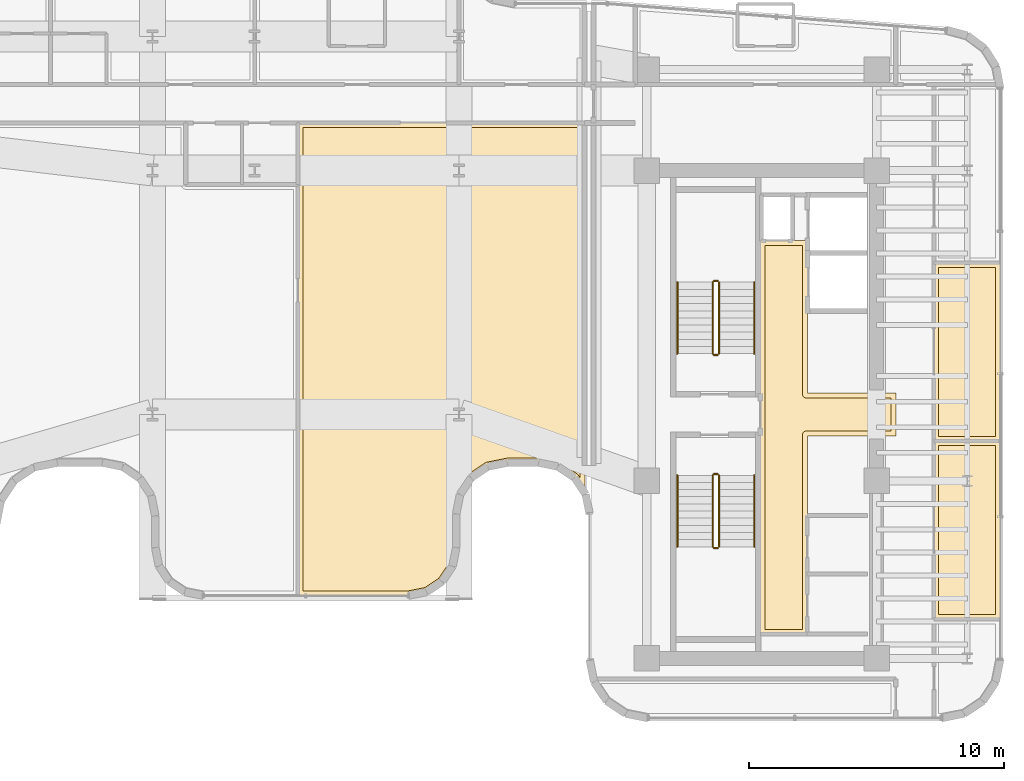
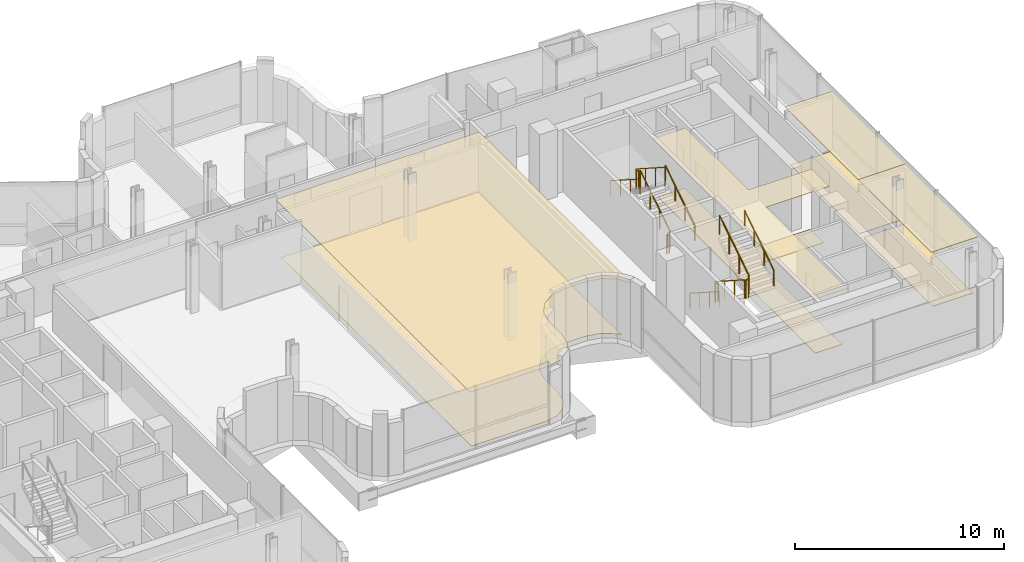
# One storey, part 34 of 36: 12 railings, 8 coverings.
"""IFC4 building model written with IfcOpenShell, lengths in metres."""

from ifc_helpers import new_model, si_unit, direction, frame, origin, origin_2d, place, context, subcontext, project, spatial, polyline, circle, outline, extrude, material, layer, layer_set, type_object, element, save


model = new_model("IFC4")

# Units and contexts
model_context = context("Model", 3, precision=1e-05, world=origin(), true_north=direction((0.0, 1.0)))
body_context = subcontext(model_context, "Body", "Model", "MODEL_VIEW")
ifc_project = project(units=[si_unit("LENGTHUNIT", "METRE"), si_unit("AREAUNIT", "SQUARE_METRE"), si_unit("VOLUMEUNIT", "CUBIC_METRE"), si_unit("PLANEANGLEUNIT", "RADIAN"), si_unit("MASSUNIT", "GRAM", prefix="KILO")], contexts=[model_context])

# Site, building, storey
site_placement = place(None, origin())
site = spatial("IfcSite", under=ifc_project, at=site_placement, CompositionType="ELEMENT")
building_placement = place(site_placement, origin())
building = spatial("IfcBuilding", under=site, at=building_placement, Name="Valdorenza Pilgrim Sanctuary Tower", CompositionType="ELEMENT")
storey_placement = place(building_placement, frame((0.0, 0.0, 176.550048828125)))
storey = spatial("IfcBuildingStorey", under=building, at=storey_placement, Name="L45", CompositionType="ELEMENT", Elevation=176.550048828125)

# Coverings
ifc_material_1 = material(Name="Micro-perforated acoustic mineral ceiling tile", Category="gypsum")
ifc_layer_1 = layer(ifc_material_1, 0.02490234375, Name="Micro-perforated acoustic mineral ceiling tile")
ifc_layer_set_1 = layer_set([ifc_layer_1], Name="Micro-perforated acoustic mineral ceiling tile")
covering_type_1 = type_object("IfcCoveringType", Name="COV-CLG-ACU", PredefinedType="CEILING", material=ifc_layer_set_1)
covering_1_placement = place(storey_placement, frame((0.0, 0.0, 3.329833984375)))
element("IfcCovering", 1, at=covering_1_placement, inside=storey, type_object=covering_type_1, Name="L45 Core B Passenger Lift Lobby Acoustic Ceiling", PredefinedType="CEILING", context=body_context, shape_type="SweptSolid", body=[
    extrude(outline(polyline([(20.287109375, -0.814697265625), (20.287109375, 0.814697265625), (20.28662109375, 0.815185546875), (20.2861328125, 0.81640625), (20.28564453125, 0.81787109375), (20.285400390625, 0.819091796875), (20.28515625, 0.820556640625), (20.284912109375, 0.822021484375), (20.284912109375, 6.800048828125), (20.28515625, 6.801513671875), (20.285400390625, 6.802978515625), (20.28564453125, 6.804443359375), (20.2861328125, 6.8056640625), (20.286865234375, 6.80712890625), (20.28759765625, 6.808349609375), (20.288330078125, 6.8095703125), (20.289306640625, 6.810546875), (20.29052734375, 6.8115234375), (20.291748046875, 6.8125), (20.29296875, 6.813232421875), (20.294189453125, 6.81396484375), (20.295654296875, 6.814453125), (20.297119140625, 6.814697265625), (20.298583984375, 6.81494140625), (20.300048828125, 6.81494140625), (20.347900390625, 6.81494140625), (20.349365234375, 6.81494140625), (20.350830078125, 6.814697265625), (20.352294921875, 6.814453125), (20.353515625, 6.81396484375), (20.35498046875, 6.813232421875), (20.35546875, 6.81298828125), (21.544677734375, 6.81298828125), (21.545166015625, 6.813232421875), (21.54638671875, 6.81396484375), (21.5478515625, 6.814453125), (21.54931640625, 6.814697265625), (21.550537109375, 6.81494140625), (21.552001953125, 6.81494140625), (22.1201171875, 6.81494140625), (22.12158203125, 6.81494140625), (22.122802734375, 6.814697265625), (22.12451171875, 6.814453125), (22.125732421875, 6.81396484375), (22.127197265625, 6.813232421875), (22.12841796875, 6.8125), (22.12939453125, 6.8115234375), (22.130615234375, 6.810546875), (22.131591796875, 6.8095703125), (22.132568359375, 6.808349609375), (22.13330078125, 6.80712890625), (22.1337890625, 6.8056640625), (22.134521484375, 6.804443359375), (22.134765625, 6.802978515625), (22.135009765625, 6.801513671875), (22.135009765625, 6.800048828125), (22.135009765625, 0.8349609375), (25.60009765625, 0.8349609375), (25.6015625, 0.8349609375), (25.602783203125, 0.834716796875), (25.6044921875, 0.83447265625), (25.605712890625, 0.833984375), (25.607177734375, 0.833251953125), (25.6083984375, 0.83251953125), (25.609619140625, 0.83154296875), (25.610595703125, 0.83056640625), (25.611572265625, 0.82958984375), (25.612548828125, 0.828369140625), (25.61328125, 0.8271484375), (25.614013671875, 0.82568359375), (25.614501953125, 0.824462890625), (25.61474609375, 0.822998046875), (25.614990234375, 0.821533203125), (25.614990234375, 0.820068359375), (25.614990234375, -0.820068359375), (25.614990234375, -0.821533203125), (25.61474609375, -0.822998046875), (25.614501953125, -0.824462890625), (25.614013671875, -0.82568359375), (25.61328125, -0.8271484375), (25.612548828125, -0.828369140625), (25.611572265625, -0.82958984375), (25.610595703125, -0.83056640625), (25.609619140625, -0.83154296875), (25.6083984375, -0.83251953125), (25.607177734375, -0.833251953125), (25.605712890625, -0.833984375), (25.6044921875, -0.83447265625), (25.602783203125, -0.834716796875), (25.6015625, -0.8349609375), (25.60009765625, -0.8349609375), (22.135009765625, -0.8349609375), (22.135009765625, -8.60009765625), (22.135009765625, -8.6015625), (22.134765625, -8.602783203125), (22.134521484375, -8.6044921875), (22.1337890625, -8.605712890625), (22.13330078125, -8.607177734375), (22.132568359375, -8.6083984375), (22.131591796875, -8.609619140625), (22.130615234375, -8.610595703125), (22.12939453125, -8.611572265625), (22.12841796875, -8.612548828125), (22.127197265625, -8.61328125), (22.125732421875, -8.614013671875), (22.12451171875, -8.614501953125), (22.122802734375, -8.61474609375), (22.12158203125, -8.614990234375), (22.1201171875, -8.614990234375), (20.300048828125, -8.614990234375), (20.298583984375, -8.614990234375), (20.297119140625, -8.61474609375), (20.295654296875, -8.614501953125), (20.294189453125, -8.614013671875), (20.29296875, -8.61328125), (20.291748046875, -8.612548828125), (20.29052734375, -8.611572265625), (20.289306640625, -8.610595703125), (20.288330078125, -8.609619140625), (20.28759765625, -8.6083984375), (20.286865234375, -8.607177734375), (20.2861328125, -8.605712890625), (20.28564453125, -8.6044921875), (20.285400390625, -8.602783203125), (20.28515625, -8.6015625), (20.284912109375, -8.60009765625), (20.284912109375, -0.822021484375), (20.28515625, -0.820556640625), (20.285400390625, -0.819091796875), (20.28564453125, -0.81787109375), (20.2861328125, -0.81640625), (20.28662109375, -0.815185546875), (20.287109375, -0.814697265625)])), origin(), (0.0, 0.0, 1.0), 0.025146484375),
])
covering_2_placement = place(storey_placement, frame((0.0, 0.0, 3.329833984375)))
element("IfcCovering", 2, at=covering_2_placement, inside=storey, type_object=covering_type_1, Name="L45 Sacred Archive Reading Library Acoustic Ceiling", PredefinedType="CEILING", context=body_context, shape_type="SweptSolid", body=[
    extrude(outline(polyline([(2.18701171875, 8.996337890625), (2.18701171875, 8.996826171875), (2.186767578125, 8.99853515625), (2.186767578125, 9.0), (2.18701171875, 9.00146484375), (2.18701171875, 9.001708984375), (2.18701171875, 11.419921875), (2.18701171875, 11.42138671875), (2.187255859375, 11.4228515625), (2.1875, 11.42431640625), (2.18798828125, 11.42578125), (2.188720703125, 11.427001953125), (2.189453125, 11.42822265625), (2.1904296875, 11.429443359375), (2.19140625, 11.4306640625), (2.1923828125, 11.431640625), (2.193603515625, 11.4326171875), (2.19482421875, 11.43310546875), (2.1962890625, 11.433837890625), (2.197509765625, 11.434326171875), (2.19921875, 11.434814453125), (2.200439453125, 11.434814453125), (2.201904296875, 11.43505859375), (13.419921875, 11.43505859375), (13.42138671875, 11.434814453125), (13.4228515625, 11.434814453125), (13.42431640625, 11.434326171875), (13.42578125, 11.433837890625), (13.427001953125, 11.43310546875), (13.42822265625, 11.4326171875), (13.429443359375, 11.431640625), (13.4306640625, 11.4306640625), (13.431640625, 11.429443359375), (13.4326171875, 11.42822265625), (13.43310546875, 11.427001953125), (13.433837890625, 11.42578125), (13.434326171875, 11.42431640625), (13.434814453125, 11.4228515625), (13.434814453125, 11.42138671875), (13.43505859375, 11.419921875), (13.43505859375, -3.071533203125), (13.434814453125, -3.072998046875), (13.434814453125, -3.074462890625), (13.434326171875, -3.075927734375), (13.433837890625, -3.077392578125), (13.43310546875, -3.07861328125), (13.4326171875, -3.079833984375), (13.431640625, -3.0810546875), (13.4306640625, -3.082275390625), (13.429443359375, -3.083251953125), (13.42822265625, -3.083984375), (13.427001953125, -3.084716796875), (13.42578125, -3.08544921875), (13.42431640625, -3.0859375), (13.4228515625, -3.086181640625), (13.42138671875, -3.08642578125), (13.419921875, -3.086669921875), (13.41845703125, -3.08642578125), (13.4169921875, -3.086181640625), (13.41552734375, -3.0859375), (13.414306640625, -3.08544921875), (13.412841796875, -3.084716796875), (13.41162109375, -3.083984375), (13.410400390625, -3.083251953125), (13.409423828125, -3.082275390625), (13.408447265625, -3.0810546875), (13.407470703125, -3.079833984375), (13.022705078125, -2.50390625), (13.016845703125, -2.49609375), (13.0107421875, -2.4892578125), (13.00390625, -2.483154296875), (12.99609375, -2.477294921875), (12.380126953125, -2.06591796875), (12.371826171875, -2.060791015625), (12.36328125, -2.056884765625), (12.354736328125, -2.0537109375), (12.34521484375, -2.051513671875), (11.618896484375, -1.906982421875), (11.609375, -1.905517578125), (11.599609375, -1.905029296875), (10.400390625, -1.905029296875), (10.390625, -1.905517578125), (10.381103515625, -1.906982421875), (9.65478515625, -2.051513671875), (9.645263671875, -2.0537109375), (9.63671875, -2.056884765625), (9.628173828125, -2.060791015625), (9.619873046875, -2.06591796875), (9.00390625, -2.477294921875), (8.99609375, -2.483154296875), (8.9892578125, -2.4892578125), (8.983154296875, -2.49609375), (8.977294921875, -2.50390625), (8.56591796875, -3.119873046875), (8.560791015625, -3.128173828125), (8.556884765625, -3.13671875), (8.5537109375, -3.145263671875), (8.551513671875, -3.15478515625), (8.406982421875, -3.881103515625), (8.405517578125, -3.890625), (8.405029296875, -3.900390625), (8.405029296875, -5.213134765625), (8.40478515625, -5.214599609375), (8.40478515625, -5.216064453125), (8.2607421875, -5.940185546875), (8.26025390625, -5.941650390625), (8.259765625, -5.943115234375), (8.25927734375, -5.9443359375), (8.258544921875, -5.945556640625), (7.8544921875, -6.55029296875), (7.853515625, -6.551513671875), (7.8525390625, -6.552490234375), (7.851318359375, -6.553466796875), (7.85009765625, -6.554443359375), (7.24560546875, -6.95849609375), (7.244384765625, -6.959228515625), (7.242919921875, -6.959716796875), (7.24169921875, -6.960205078125), (7.240234375, -6.960693359375), (6.51611328125, -7.104736328125), (6.5146484375, -7.10498046875), (6.51318359375, -7.10498046875), (2.201904296875, -7.10498046875), (2.200439453125, -7.10498046875), (2.19921875, -7.104736328125), (2.197509765625, -7.1044921875), (2.1962890625, -7.10400390625), (2.19482421875, -7.103271484375), (2.193603515625, -7.1025390625), (2.1923828125, -7.1015625), (2.19140625, -7.1005859375), (2.1904296875, -7.099609375), (2.189453125, -7.098388671875), (2.188720703125, -7.09716796875), (2.18798828125, -7.095703125), (2.1875, -7.094482421875), (2.187255859375, -7.093017578125), (2.18701171875, -7.091552734375), (2.18701171875, -7.090087890625), (2.18701171875, 8.996337890625)])), origin(), (0.0, 0.0, 1.0), 0.025146484375),
])
covering_3_placement = place(storey_placement, frame((0.0, 0.0, 3.329833984375)))
element("IfcCovering", 3, at=covering_3_placement, inside=storey, type_object=covering_type_1, Name="L45 East Reading Lounge L45-EB2 Acoustic Ceiling", PredefinedType="CEILING", context=body_context, shape_type="SweptSolid", body=[
    extrude(outline(polyline([(27.0849609375, -1.0400390625), (27.085205078125, -1.03857421875), (27.085205078125, -1.037109375), (27.085693359375, -1.03564453125), (27.086181640625, -1.0341796875), (27.0869140625, -1.032958984375), (27.08740234375, -1.03173828125), (27.08837890625, -1.030517578125), (27.08935546875, -1.029296875), (27.090576171875, -1.0283203125), (27.091796875, -1.027587890625), (27.093017578125, -1.02685546875), (27.09423828125, -1.026123046875), (27.095703125, -1.025634765625), (27.09716796875, -1.025390625), (27.098388671875, -1.025146484375), (27.10009765625, -1.02490234375), (29.68994140625, -1.02490234375), (29.69140625, -1.025146484375), (29.69287109375, -1.025390625), (29.6943359375, -1.025634765625), (29.69580078125, -1.026123046875), (29.697021484375, -1.02685546875), (29.6982421875, -1.027587890625), (29.699462890625, -1.0283203125), (29.70068359375, -1.029296875), (29.70166015625, -1.030517578125), (29.702392578125, -1.03173828125), (29.703125, -1.032958984375), (29.703857421875, -1.0341796875), (29.704345703125, -1.03564453125), (29.70458984375, -1.037109375), (29.704833984375, -1.03857421875), (29.705078125, -1.0400390625), (29.705078125, -8.01806640625), (29.704833984375, -8.01953125), (29.70458984375, -8.02099609375), (29.704345703125, -8.0224609375), (29.703857421875, -8.023681640625), (29.703125, -8.025146484375), (29.702392578125, -8.0263671875), (29.70166015625, -8.027587890625), (29.70068359375, -8.028564453125), (29.699462890625, -8.029541015625), (29.6982421875, -8.030517578125), (29.697021484375, -8.03125), (29.69580078125, -8.031982421875), (29.6943359375, -8.032470703125), (29.69287109375, -8.03271484375), (29.69140625, -8.032958984375), (29.68994140625, -8.032958984375), (27.10009765625, -8.032958984375), (27.098388671875, -8.032958984375), (27.09716796875, -8.03271484375), (27.095703125, -8.032470703125), (27.09423828125, -8.031982421875), (27.093017578125, -8.03125), (27.091796875, -8.030517578125), (27.090576171875, -8.029541015625), (27.08935546875, -8.028564453125), (27.08837890625, -8.027587890625), (27.08740234375, -8.0263671875), (27.0869140625, -8.025146484375), (27.086181640625, -8.023681640625), (27.085693359375, -8.0224609375), (27.085205078125, -8.02099609375), (27.085205078125, -8.01953125), (27.0849609375, -8.01806640625), (27.0849609375, -1.0400390625)])), origin(), (0.0, 0.0, 1.0), 0.025146484375),
])
covering_4_placement = place(storey_placement, frame((0.0, 0.0, 3.329833984375)))
element("IfcCovering", 4, at=covering_4_placement, inside=storey, type_object=covering_type_1, Name="L45 East Reading Lounge L45-EB3 Acoustic Ceiling", PredefinedType="CEILING", context=body_context, shape_type="SweptSolid", body=[
    extrude(outline(polyline([(27.0849609375, 5.93994140625), (27.085205078125, 5.94140625), (27.085205078125, 5.94287109375), (27.085693359375, 5.9443359375), (27.086181640625, 5.94580078125), (27.0869140625, 5.947021484375), (27.08740234375, 5.9482421875), (27.08837890625, 5.949462890625), (27.08935546875, 5.95068359375), (27.090576171875, 5.95166015625), (27.091796875, 5.952392578125), (27.093017578125, 5.953125), (27.09423828125, 5.953857421875), (27.095703125, 5.954345703125), (27.09716796875, 5.95458984375), (27.098388671875, 5.954833984375), (27.10009765625, 5.955078125), (29.68994140625, 5.955078125), (29.69140625, 5.954833984375), (29.69287109375, 5.95458984375), (29.6943359375, 5.954345703125), (29.69580078125, 5.953857421875), (29.697021484375, 5.953125), (29.6982421875, 5.952392578125), (29.699462890625, 5.95166015625), (29.70068359375, 5.95068359375), (29.70166015625, 5.949462890625), (29.702392578125, 5.9482421875), (29.703125, 5.947021484375), (29.703857421875, 5.94580078125), (29.704345703125, 5.9443359375), (29.70458984375, 5.94287109375), (29.704833984375, 5.94140625), (29.705078125, 5.93994140625), (29.705078125, -1.0380859375), (29.704833984375, -1.03955078125), (29.70458984375, -1.041015625), (29.704345703125, -1.04248046875), (29.703857421875, -1.043701171875), (29.703125, -1.045166015625), (29.702392578125, -1.04638671875), (29.70166015625, -1.047607421875), (29.70068359375, -1.048583984375), (29.699462890625, -1.049560546875), (29.6982421875, -1.050537109375), (29.697021484375, -1.05126953125), (29.69580078125, -1.052001953125), (29.6943359375, -1.052490234375), (29.69287109375, -1.052734375), (29.69140625, -1.052978515625), (29.68994140625, -1.052978515625), (27.10009765625, -1.052978515625), (27.098388671875, -1.052978515625), (27.09716796875, -1.052734375), (27.095703125, -1.052490234375), (27.09423828125, -1.052001953125), (27.093017578125, -1.05126953125), (27.091796875, -1.050537109375), (27.090576171875, -1.049560546875), (27.08935546875, -1.048583984375), (27.08837890625, -1.047607421875), (27.08740234375, -1.04638671875), (27.0869140625, -1.045166015625), (27.086181640625, -1.043701171875), (27.085693359375, -1.04248046875), (27.085205078125, -1.041015625), (27.085205078125, -1.03955078125), (27.0849609375, -1.0380859375), (27.0849609375, 5.93994140625)])), origin(), (0.0, 0.0, 1.0), 0.025146484375),
])
ifc_material_2 = material(Name="Honed travertine stone flooring", Category="masonry")
ifc_layer_2 = layer(ifc_material_2, 0.030029296875, Name="Honed travertine stone flooring")
ifc_layer_set_2 = layer_set([ifc_layer_2], Name="Honed travertine stone flooring")
covering_type_2 = type_object("IfcCoveringType", Name="COV-FLR-TRV", PredefinedType="FLOORING", material=ifc_layer_set_2)
covering_5_placement = place(storey_placement, origin())
element("IfcCovering", 5, at=covering_5_placement, inside=storey, type_object=covering_type_2, Name="L45 Core B Passenger Lift Lobby Flooring", PredefinedType="FLOORING", context=body_context, shape_type="SweptSolid", body=[
    extrude(outline(polyline([(20.47998046875, 6.617919921875), (21.550048828125, 6.617919921875), (21.550537109375, 6.617919921875), (21.93994140625, 6.619384765625), (21.93994140625, 0.820068359375), (21.94091796875, 0.802490234375), (21.943603515625, 0.784912109375), (21.94775390625, 0.767578125), (21.95361328125, 0.751220703125), (21.961181640625, 0.735107421875), (21.97021484375, 0.719970703125), (21.98095703125, 0.705810546875), (21.99267578125, 0.692626953125), (22.005859375, 0.680908203125), (22.02001953125, 0.67041015625), (22.03515625, 0.661376953125), (22.051025390625, 0.65380859375), (22.067626953125, 0.647705078125), (22.0849609375, 0.6435546875), (22.102294921875, 0.640869140625), (22.1201171875, 0.639892578125), (25.419921875, 0.639892578125), (25.419921875, -0.639892578125), (22.1201171875, -0.639892578125), (22.102294921875, -0.640869140625), (22.0849609375, -0.6435546875), (22.067626953125, -0.647705078125), (22.051025390625, -0.65380859375), (22.03515625, -0.661376953125), (22.02001953125, -0.67041015625), (22.005859375, -0.680908203125), (21.99267578125, -0.692626953125), (21.98095703125, -0.705810546875), (21.97021484375, -0.719970703125), (21.961181640625, -0.735107421875), (21.95361328125, -0.751220703125), (21.94775390625, -0.767578125), (21.943603515625, -0.784912109375), (21.94091796875, -0.802490234375), (21.93994140625, -0.820068359375), (21.93994140625, -8.419921875), (20.47998046875, -8.419921875), (20.47998046875, -0.846923828125), (20.47998046875, -0.8466796875), (20.47998046875, -0.8466796875), (20.481689453125, -0.8291015625), (20.481689453125, -0.828857421875), (20.48193359375, -0.820068359375), (20.48193359375, 0.820068359375), (20.47998046875, 6.617919921875)])), origin(), (0.0, 0.0, 1.0), 0.02490234375),
])
covering_6_placement = place(storey_placement, origin())
element("IfcCovering", 6, at=covering_6_placement, inside=storey, type_object=covering_type_2, Name="L45 Sacred Archive Reading Library Flooring", PredefinedType="FLOORING", context=body_context, shape_type="SweptSolid", body=[
    extrude(outline(polyline([(2.382080078125, 8.999755859375), (2.382080078125, 9.0), (2.382080078125, 11.239990234375), (13.239990234375, 11.239990234375), (13.239990234375, -2.478271484375), (13.1845703125, -2.3955078125), (13.179443359375, -2.38818359375), (13.173095703125, -2.37939453125), (13.161865234375, -2.36572265625), (13.15478515625, -2.35791015625), (13.14208984375, -2.34521484375), (13.13427734375, -2.338134765625), (13.12060546875, -2.326904296875), (13.11181640625, -2.320556640625), (13.1044921875, -2.3154296875), (12.48828125, -1.903564453125), (12.480712890625, -1.898681640625), (12.471435546875, -1.893310546875), (12.455810546875, -1.885009765625), (12.4462890625, -1.88037109375), (12.4296875, -1.87353515625), (12.419677734375, -1.869873046875), (12.40283203125, -1.86474609375), (12.392333984375, -1.862060546875), (12.3837890625, -1.860107421875), (11.656494140625, -1.715576171875), (11.64794921875, -1.714111328125), (11.63720703125, -1.71240234375), (11.61962890625, -1.710693359375), (11.60888671875, -1.710205078125), (11.60009765625, -1.7099609375), (10.39990234375, -1.7099609375), (10.39111328125, -1.710205078125), (10.38037109375, -1.710693359375), (10.36279296875, -1.71240234375), (10.35205078125, -1.714111328125), (10.343505859375, -1.715576171875), (9.6162109375, -1.860107421875), (9.607666015625, -1.862060546875), (9.59716796875, -1.86474609375), (9.580322265625, -1.869873046875), (9.5703125, -1.87353515625), (9.5537109375, -1.88037109375), (9.544189453125, -1.885009765625), (9.528564453125, -1.893310546875), (9.519287109375, -1.898681640625), (9.51171875, -1.903564453125), (8.8955078125, -2.3154296875), (8.88818359375, -2.320556640625), (8.87939453125, -2.326904296875), (8.86572265625, -2.338134765625), (8.85791015625, -2.34521484375), (8.84521484375, -2.35791015625), (8.838134765625, -2.36572265625), (8.826904296875, -2.37939453125), (8.820556640625, -2.38818359375), (8.8154296875, -2.3955078125), (8.403564453125, -3.01171875), (8.398681640625, -3.019287109375), (8.393310546875, -3.028564453125), (8.385009765625, -3.044189453125), (8.38037109375, -3.0537109375), (8.37353515625, -3.0703125), (8.369873046875, -3.080322265625), (8.36474609375, -3.09716796875), (8.362060546875, -3.107666015625), (8.360107421875, -3.1162109375), (8.215576171875, -3.843505859375), (8.214111328125, -3.85205078125), (8.21240234375, -3.86279296875), (8.210693359375, -3.88037109375), (8.210205078125, -3.89111328125), (8.2099609375, -3.89990234375), (8.2099609375, -5.1953125), (8.076416015625, -5.866943359375), (7.712158203125, -6.412109375), (7.1669921875, -6.7763671875), (6.495361328125, -6.909912109375), (2.382080078125, -6.909912109375), (2.382080078125, 8.998046875), (2.382080078125, 8.9990234375), (2.382080078125, 8.999755859375)])), origin(), (0.0, 0.0, 1.0), 0.02490234375),
])
covering_7_placement = place(storey_placement, origin())
element("IfcCovering", 7, at=covering_7_placement, inside=storey, type_object=covering_type_2, Name="L45 East Reading Lounge L45-EB2 Flooring", PredefinedType="FLOORING", context=body_context, shape_type="SweptSolid", body=[
    extrude(outline(polyline([(27.280029296875, -1.219970703125), (29.510009765625, -1.219970703125), (29.510009765625, -7.837890625), (27.280029296875, -7.837890625), (27.280029296875, -1.219970703125)])), origin(), (0.0, 0.0, 1.0), 0.02490234375),
])
covering_8_placement = place(storey_placement, origin())
element("IfcCovering", 8, at=covering_8_placement, inside=storey, type_object=covering_type_2, Name="L45 East Reading Lounge L45-EB3 Flooring", PredefinedType="FLOORING", context=body_context, shape_type="SweptSolid", body=[
    extrude(outline(polyline([(27.280029296875, 5.760009765625), (29.510009765625, 5.760009765625), (29.510009765625, -0.85791015625), (27.280029296875, -0.85791015625), (27.280029296875, 5.760009765625)])), origin(), (0.0, 0.0, 1.0), 0.02490234375),
])

# Railings
ifc_material_3 = material(Name="Stainless steel Grade 316", Category="steel")
railing_type_1 = type_object("IfcRailingType", Name="RLG-GRD-1120", PredefinedType="GUARDRAIL", material=ifc_material_3)
railing_1_placement = place(storey_placement, frame((18.679931640625, 2.3798828125, 0.179443359375)))
element("IfcRailing", 9, at=railing_1_placement, inside=storey, type_object=railing_type_1, Name="L45 ST-B1 stair guard 1", PredefinedType="GUARDRAIL", context=body_context, shape_type="SweptSolid", body=[
    extrude(circle(Radius=0.02392578125, at=origin_2d()), frame((0.0, 0.0, 1.076171875), z_axis=(0.0, 0.841809871826, 0.539774156196), x_axis=(-1.0, 0.0, 0.0)), (0.0, 0.0, 1.0), 3.326171875),
    extrude(circle(Radius=0.02099609375, at=origin_2d()), origin(), (0.0, 0.0, 1.0), 1.052001953125),
    extrude(circle(Radius=0.02099609375, at=origin_2d()), frame((0.0, 0.933349609375, 0.598388671875)), (0.0, 0.0, 1.0), 1.052001953125),
    extrude(circle(Radius=0.02099609375, at=origin_2d()), frame((0.0, 1.86669921875, 1.197021484375)), (0.0, 0.0, 1.0), 1.052001953125),
    extrude(circle(Radius=0.02099609375, at=origin_2d()), frame((0.0, 2.800048828125, 1.79541015625)), (0.0, 0.0, 1.0), 1.052001953125),
])
railing_2_placement = place(storey_placement, frame((18.6298828125, 5.22998046875, 1.974853515625)))
element("IfcRailing", 10, at=railing_2_placement, inside=storey, type_object=railing_type_1, Name="L45 ST-B1 stair guard 2", PredefinedType="GUARDRAIL", context=body_context, shape_type="SweptSolid", body=[
    extrude(circle(Radius=0.02392578125, at=origin_2d()), frame((0.0, 0.0, 1.076171875), z_axis=(-1.0, 0.0, 0.0), x_axis=(0.0, -1.0, 0.0)), (0.0, 0.0, 1.0), 0.14990234375),
    extrude(circle(Radius=0.02099609375, at=origin_2d()), origin(), (0.0, 0.0, 1.0), 1.052001953125),
    extrude(circle(Radius=0.02099609375, at=origin_2d()), frame((-0.14990234375, 0.0, 0.0)), (0.0, 0.0, 1.0), 1.052001953125),
])
railing_3_placement = place(storey_placement, frame((18.429931640625, 5.179931640625, 2.154541015625)))
element("IfcRailing", 11, at=railing_3_placement, inside=storey, type_object=railing_type_1, Name="L45 ST-B1 stair guard 3", PredefinedType="GUARDRAIL", context=body_context, shape_type="SweptSolid", body=[
    extrude(circle(Radius=0.02392578125, at=origin_2d()), frame((0.0, 0.0, 1.076171875), z_axis=(0.0, -0.841809871826, 0.539774156196), x_axis=(1.0, 0.0, 0.0)), (0.0, 0.0, 1.0), 3.326171875),
    extrude(circle(Radius=0.02099609375, at=origin_2d()), origin(), (0.0, 0.0, 1.0), 1.052001953125),
    extrude(circle(Radius=0.02099609375, at=origin_2d()), frame((0.0, -0.933349609375, 0.598388671875)), (0.0, 0.0, 1.0), 1.052001953125),
    extrude(circle(Radius=0.02099609375, at=origin_2d()), frame((0.0, -1.86669921875, 1.197021484375)), (0.0, 0.0, 1.0), 1.052001953125),
    extrude(circle(Radius=0.02099609375, at=origin_2d()), frame((0.0, -2.800048828125, 1.79541015625)), (0.0, 0.0, 1.0), 1.052001953125),
])
railing_4_placement = place(storey_placement, frame((18.6298828125, 2.330078125, 0.0)))
element("IfcRailing", 12, at=railing_4_placement, inside=storey, type_object=railing_type_1, Name="L45 ST-B1 stair guard 4", PredefinedType="GUARDRAIL", context=body_context, shape_type="SweptSolid", body=[
    extrude(circle(Radius=0.02392578125, at=origin_2d()), frame((0.0, 0.0, 1.076171875), z_axis=(-1.0, 0.0, 0.0), x_axis=(0.0, -1.0, 0.0)), (0.0, 0.0, 1.0), 0.14990234375),
    extrude(circle(Radius=0.02099609375, at=origin_2d()), origin(), (0.0, 0.0, 1.0), 1.052001953125),
    extrude(circle(Radius=0.02099609375, at=origin_2d()), frame((-0.14990234375, 0.0, 0.0)), (0.0, 0.0, 1.0), 1.052001953125),
])
railing_5_placement = place(storey_placement, frame((18.429931640625, -2.3798828125, 0.179443359375)))
element("IfcRailing", 13, at=railing_5_placement, inside=storey, type_object=railing_type_1, Name="L45 ST-B2 stair guard 1", PredefinedType="GUARDRAIL", context=body_context, shape_type="SweptSolid", body=[
    extrude(circle(Radius=0.02392578125, at=origin_2d()), frame((0.0, 0.0, 1.076171875), z_axis=(0.0, -0.841809871826, 0.539774156196), x_axis=(1.0, 0.0, 0.0)), (0.0, 0.0, 1.0), 3.326171875),
    extrude(circle(Radius=0.02099609375, at=origin_2d()), origin(), (0.0, 0.0, 1.0), 1.052001953125),
    extrude(circle(Radius=0.02099609375, at=origin_2d()), frame((0.0, -0.933349609375, 0.598388671875)), (0.0, 0.0, 1.0), 1.052001953125),
    extrude(circle(Radius=0.02099609375, at=origin_2d()), frame((0.0, -1.86669921875, 1.197021484375)), (0.0, 0.0, 1.0), 1.052001953125),
    extrude(circle(Radius=0.02099609375, at=origin_2d()), frame((0.0, -2.800048828125, 1.79541015625)), (0.0, 0.0, 1.0), 1.052001953125),
])
railing_6_placement = place(storey_placement, frame((18.47998046875, -5.22998046875, 1.974853515625)))
element("IfcRailing", 14, at=railing_6_placement, inside=storey, type_object=railing_type_1, Name="L45 ST-B2 stair guard 2", PredefinedType="GUARDRAIL", context=body_context, shape_type="SweptSolid", body=[
    extrude(circle(Radius=0.02392578125, at=origin_2d()), frame((0.0, 0.0, 1.076171875), z_axis=(1.0, 0.0, 0.0), x_axis=(0.0, 1.0, 0.0)), (0.0, 0.0, 1.0), 0.14990234375),
    extrude(circle(Radius=0.02099609375, at=origin_2d()), origin(), (0.0, 0.0, 1.0), 1.052001953125),
    extrude(circle(Radius=0.02099609375, at=origin_2d()), frame((0.14990234375, 0.0, 0.0)), (0.0, 0.0, 1.0), 1.052001953125),
])
railing_7_placement = place(storey_placement, frame((18.679931640625, -5.179931640625, 2.154541015625)))
element("IfcRailing", 15, at=railing_7_placement, inside=storey, type_object=railing_type_1, Name="L45 ST-B2 stair guard 3", PredefinedType="GUARDRAIL", context=body_context, shape_type="SweptSolid", body=[
    extrude(circle(Radius=0.02392578125, at=origin_2d()), frame((0.0, 0.0, 1.076171875), z_axis=(0.0, 0.841809871826, 0.539774156196), x_axis=(-1.0, 0.0, 0.0)), (0.0, 0.0, 1.0), 3.326171875),
    extrude(circle(Radius=0.02099609375, at=origin_2d()), origin(), (0.0, 0.0, 1.0), 1.052001953125),
    extrude(circle(Radius=0.02099609375, at=origin_2d()), frame((0.0, 0.933349609375, 0.598388671875)), (0.0, 0.0, 1.0), 1.052001953125),
    extrude(circle(Radius=0.02099609375, at=origin_2d()), frame((0.0, 1.86669921875, 1.197021484375)), (0.0, 0.0, 1.0), 1.052001953125),
    extrude(circle(Radius=0.02099609375, at=origin_2d()), frame((0.0, 2.800048828125, 1.79541015625)), (0.0, 0.0, 1.0), 1.052001953125),
])
railing_8_placement = place(storey_placement, frame((18.47998046875, -2.330078125, 0.0)))
element("IfcRailing", 16, at=railing_8_placement, inside=storey, type_object=railing_type_1, Name="L45 ST-B2 stair guard 4", PredefinedType="GUARDRAIL", context=body_context, shape_type="SweptSolid", body=[
    extrude(circle(Radius=0.02392578125, at=origin_2d()), frame((0.0, 0.0, 1.076171875), z_axis=(1.0, 0.0, 0.0), x_axis=(0.0, 1.0, 0.0)), (0.0, 0.0, 1.0), 0.14990234375),
    extrude(circle(Radius=0.02099609375, at=origin_2d()), origin(), (0.0, 0.0, 1.0), 1.052001953125),
    extrude(circle(Radius=0.02099609375, at=origin_2d()), frame((0.14990234375, 0.0, 0.0)), (0.0, 0.0, 1.0), 1.052001953125),
])
ifc_material_4 = material(Name="Brushed stainless steel Grade 316", Category="steel")
railing_type_2 = type_object("IfcRailingType", Name="RLG-HND-920", PredefinedType="HANDRAIL", material=ifc_material_4)
railing_9_placement = place(storey_placement, frame((20.06005859375, 2.3798828125, 0.179443359375)))
element("IfcRailing", 17, at=railing_9_placement, inside=storey, type_object=railing_type_2, Name="L45 ST-B1 stair handrail 1", PredefinedType="HANDRAIL", context=body_context, shape_type="SweptSolid", body=[
    extrude(circle(Radius=0.02392578125, at=origin_2d()), frame((0.0, 0.0, 0.8759765625), z_axis=(0.0, 0.841809871826, 0.539774156196), x_axis=(-1.0, 0.0, 0.0)), (0.0, 0.0, 1.0), 3.326171875),
    extrude(circle(Radius=0.02099609375, at=origin_2d()), origin(), (0.0, 0.0, 1.0), 0.851806640625),
    extrude(circle(Radius=0.02099609375, at=origin_2d()), frame((0.0, 0.933349609375, 0.598388671875)), (0.0, 0.0, 1.0), 0.851806640625),
    extrude(circle(Radius=0.02099609375, at=origin_2d()), frame((0.0, 1.86669921875, 1.197021484375)), (0.0, 0.0, 1.0), 0.851806640625),
    extrude(circle(Radius=0.02099609375, at=origin_2d()), frame((0.0, 2.800048828125, 1.79541015625)), (0.0, 0.0, 1.0), 0.851806640625),
])
for number, where, name in (
    (18, (17.050048828125, 5.179931640625, 2.154541015625), "L45 ST-B1 stair handrail 2"),
    (19, (17.050048828125, -2.3798828125, 0.179443359375), "L45 ST-B2 stair handrail 1"),
):
    element("IfcRailing", number, at=place(storey_placement, frame(where)), inside=storey, type_object=railing_type_2, Name=name, PredefinedType="HANDRAIL", context=body_context, shape_type="SweptSolid", body=[
        extrude(circle(Radius=0.02392578125, at=origin_2d()), frame((0.0, 0.0, 0.8759765625), z_axis=(0.0, -0.841809871826, 0.539774156196), x_axis=(1.0, 0.0, 0.0)), (0.0, 0.0, 1.0), 3.326171875),
        extrude(circle(Radius=0.02099609375, at=origin_2d()), origin(), (0.0, 0.0, 1.0), 0.851806640625),
        extrude(circle(Radius=0.02099609375, at=origin_2d()), frame((0.0, -0.933349609375, 0.598388671875)), (0.0, 0.0, 1.0), 0.851806640625),
        extrude(circle(Radius=0.02099609375, at=origin_2d()), frame((0.0, -1.86669921875, 1.197021484375)), (0.0, 0.0, 1.0), 0.851806640625),
        extrude(circle(Radius=0.02099609375, at=origin_2d()), frame((0.0, -2.800048828125, 1.79541015625)), (0.0, 0.0, 1.0), 0.851806640625),
    ])
railing_10_placement = place(storey_placement, frame((20.06005859375, -5.179931640625, 2.154541015625)))
element("IfcRailing", 20, at=railing_10_placement, inside=storey, type_object=railing_type_2, Name="L45 ST-B2 stair handrail 2", PredefinedType="HANDRAIL", context=body_context, shape_type="SweptSolid", body=[
    extrude(circle(Radius=0.02392578125, at=origin_2d()), frame((0.0, 0.0, 0.8759765625), z_axis=(0.0, 0.841809871826, 0.539774156196), x_axis=(-1.0, 0.0, 0.0)), (0.0, 0.0, 1.0), 3.326171875),
    extrude(circle(Radius=0.02099609375, at=origin_2d()), origin(), (0.0, 0.0, 1.0), 0.851806640625),
    extrude(circle(Radius=0.02099609375, at=origin_2d()), frame((0.0, 0.933349609375, 0.598388671875)), (0.0, 0.0, 1.0), 0.851806640625),
    extrude(circle(Radius=0.02099609375, at=origin_2d()), frame((0.0, 1.86669921875, 1.197021484375)), (0.0, 0.0, 1.0), 0.851806640625),
    extrude(circle(Radius=0.02099609375, at=origin_2d()), frame((0.0, 2.800048828125, 1.79541015625)), (0.0, 0.0, 1.0), 0.851806640625),
])

save(model, "model.ifc")
